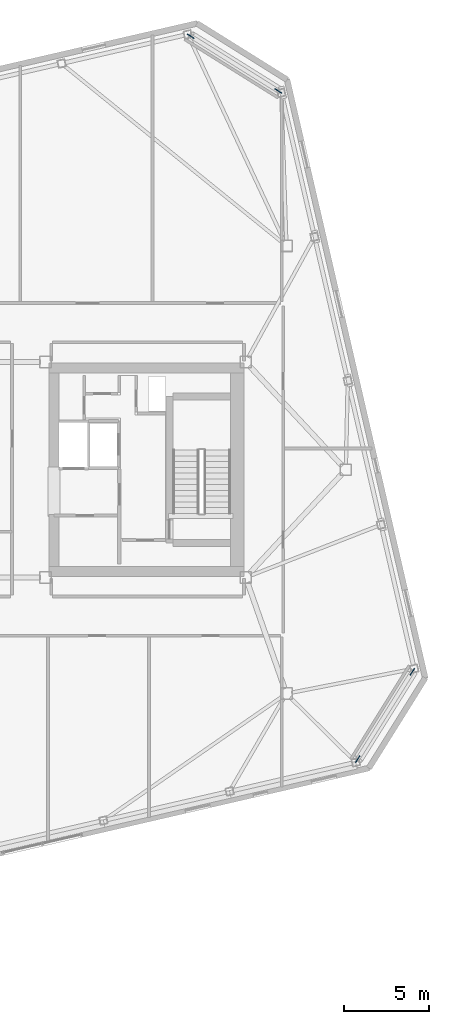
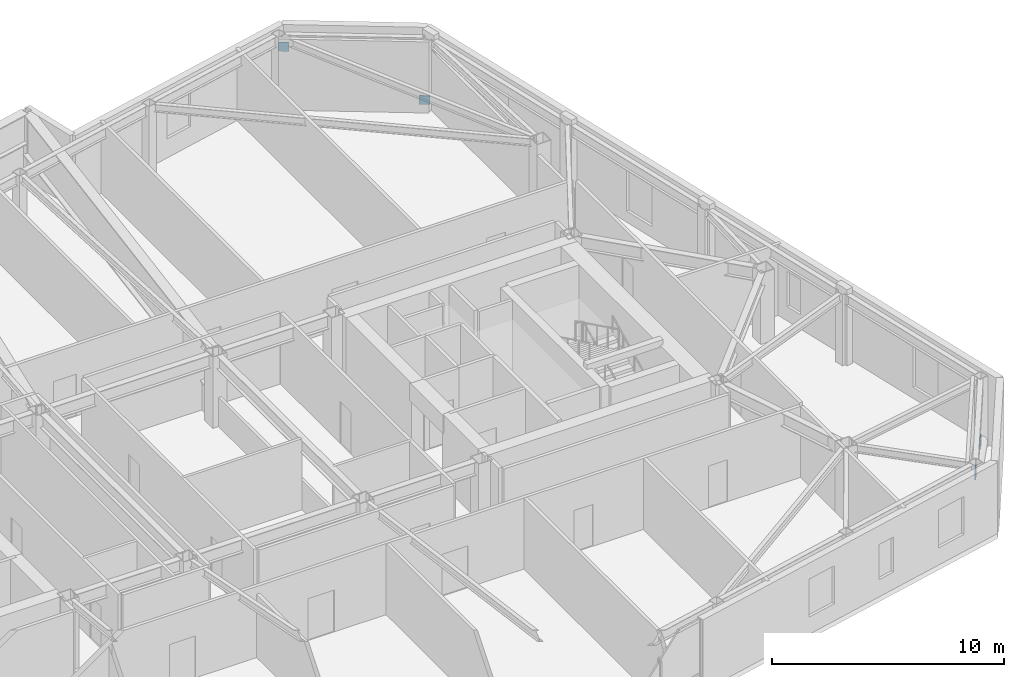
# One storey, part 21 of 22: 4 discrete accessories.
"""IFC4 building model written with IfcOpenShell, lengths in metres."""

from ifc_helpers import new_model, si_unit, direction, frame, origin, origin_2d, place, context, subcontext, project, spatial, rectangle, extrude, material, type_object, element, save


model = new_model("IFC4")

# Units and contexts
model_context = context("Model", 3, precision=1e-05, world=origin(), true_north=direction((0.0, 1.0)))
body_context = subcontext(model_context, "Body", "Model", "MODEL_VIEW")
ifc_project = project(units=[si_unit("LENGTHUNIT", "METRE"), si_unit("AREAUNIT", "SQUARE_METRE"), si_unit("VOLUMEUNIT", "CUBIC_METRE"), si_unit("PLANEANGLEUNIT", "RADIAN"), si_unit("MASSUNIT", "GRAM", prefix="KILO")], contexts=[model_context])

# Site, building, storey
site_placement = place(None, origin())
site = spatial("IfcSite", under=ifc_project, at=site_placement, CompositionType="ELEMENT")
building_placement = place(site_placement, origin())
building = spatial("IfcBuilding", under=site, at=building_placement, Name="Tavrogorsk Clinical Tower", CompositionType="ELEMENT")
storey_placement = place(building_placement, frame((0.0, 0.0, 313.0)))
storey = spatial("IfcBuildingStorey", under=building, at=storey_placement, Name="L73", CompositionType="ELEMENT", Elevation=313.0)

# Discrete accessories
ifc_material = material(Name="Structural steel S440", Category="steel")
discrete_accessory_type = type_object("IfcDiscreteAccessoryType", Name="GussetPlateBracket_25", PredefinedType="BRACKET", material=ifc_material)
for number, where, z_axis, x_axis, name in (
    (1, (31.9228515625, -11.9091796875, 0.163330078125), (0.0, 0.0, 1.0), (-0.529919264233, -0.848048096156, 0.0), "L73 Brace Gusset Plate EXOCRN-L73-1-A"),
    (2, (28.70166015625, -17.063720703125, 2.81689453125), (0.0, 0.0, 1.0), (-0.529919264233, -0.848048096156, 0.0), "L73 Brace Gusset Plate EXOCRN-L73-1-B"),
    (3, (24.017578125, 22.332275390625, 0.163330078125), (0.0, 0.0, 1.0), (-0.848048096156, 0.529919264233, 0.0), "L73 Brace Gusset Plate EXOCRN-L73-2-A"),
    (4, (18.86279296875, 25.55322265625, 2.81689453125), (0.0, 0.0, 1.0), (-0.848048096156, 0.529919264233, 0.0), "L73 Brace Gusset Plate EXOCRN-L73-2-B"),
):
    element("IfcDiscreteAccessory", number, at=place(storey_placement, frame(where, z_axis=z_axis, x_axis=x_axis)), inside=storey, type_object=discrete_accessory_type, Name=name, PredefinedType="BRACKET", context=body_context, shape_type="SweptSolid", body=[
        extrude(rectangle(XDim=0.4599609375, YDim=0.0400390625, at=origin_2d()), origin(), (0.0, 0.0, 1.0), 0.4599609375),
    ])

save(model, "model.ifc")
